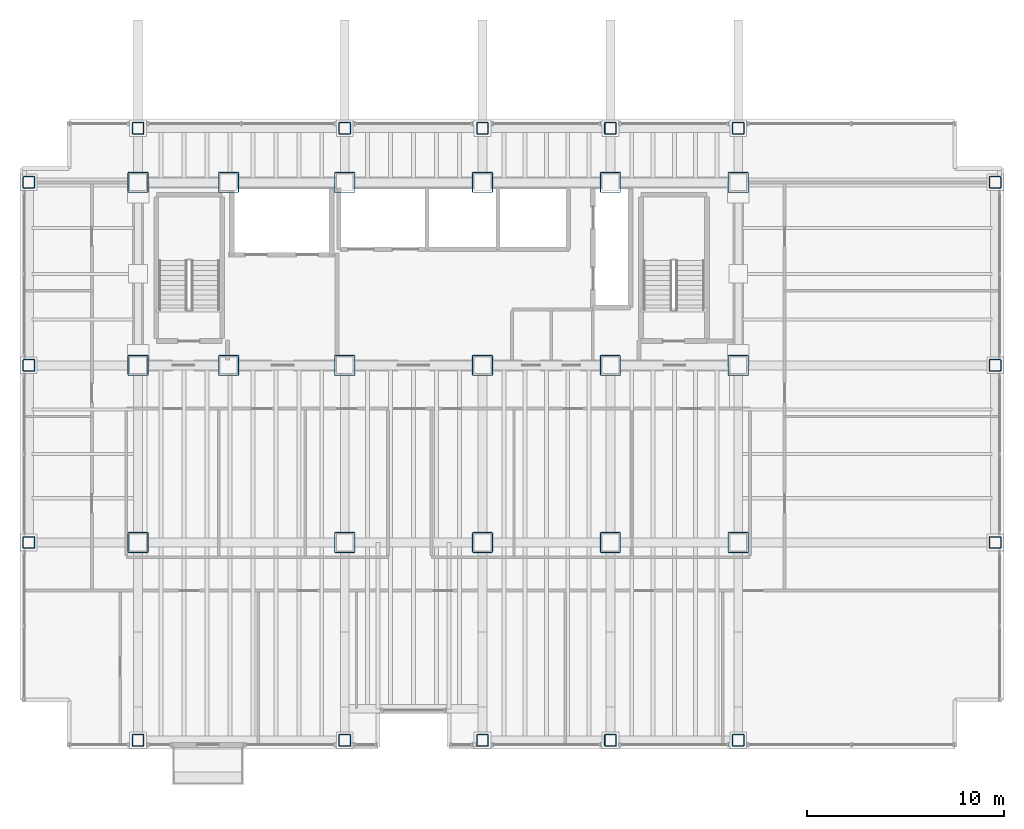
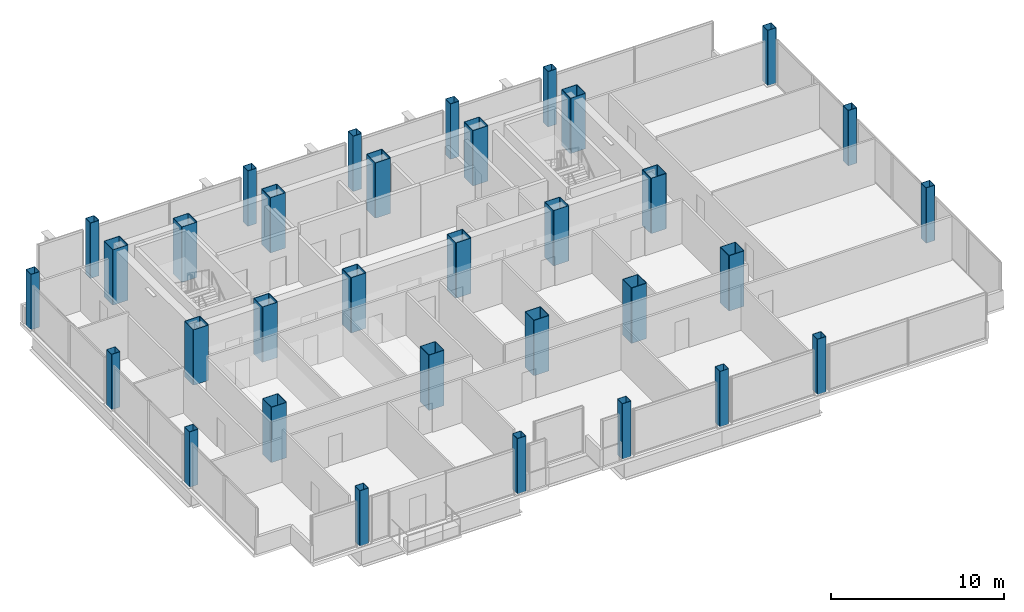
# One storey, part 1 of 21: 33 columns.
"""IFC4 building model written with IfcOpenShell, lengths in metres."""

from ifc_helpers import new_model, si_unit, direction, frame, origin, origin_2d, place, context, subcontext, project, spatial, hollow_rectangle, extrude, material, material_profile, profile_set, type_object, element, save


model = new_model("IFC4")

# Units and contexts
model_context = context("Model", 3, precision=1e-05, world=origin(), true_north=direction((0.0, 1.0)))
body_context = subcontext(model_context, "Body", "Model", "MODEL_VIEW")
ifc_project = project(units=[si_unit("LENGTHUNIT", "METRE"), si_unit("AREAUNIT", "SQUARE_METRE"), si_unit("VOLUMEUNIT", "CUBIC_METRE"), si_unit("PLANEANGLEUNIT", "RADIAN"), si_unit("MASSUNIT", "GRAM", prefix="KILO")], contexts=[model_context])

# Site, building, storey
site_placement = place(None, origin())
site = spatial("IfcSite", under=ifc_project, at=site_placement, CompositionType="ELEMENT")
building_placement = place(site_placement, origin())
building = spatial("IfcBuilding", under=site, at=building_placement, Name="Noeulbin Bourse Tower", CompositionType="ELEMENT")
storey_placement = place(building_placement, frame((0.0, 0.0, 81.10009765625)))
storey = spatial("IfcBuildingStorey", under=building, at=storey_placement, Name="L20", CompositionType="ELEMENT", Elevation=81.10009765625)

# Columns
ifc_material = material(Name="Steel S460", Category="steel")
ifc_material_profile_1 = material_profile(ifc_material, hollow_rectangle(XDim=0.60009765625, YDim=0.60009765625, WallThickness=0.02587890625, InnerFilletRadius=0.012939453125, OuterFilletRadius=0.0390625, at=origin_2d()), Name="BOX-600x600x26", Category="LoadBearing")
ifc_profile_set_1 = profile_set([ifc_material_profile_1], Name="Steel S460")
column_type_1 = type_object("IfcColumnType", Name="COL-PER-Z1", PredefinedType="COLUMN", material=ifc_profile_set_1)
for number, where, z_axis, x_axis, name in (
    (1, (7.949951171875, 20.0, 0.0), (0.0, 0.0, 1.0), (1.0, 0.0, 0.0), "Tower Perimeter Column COL-PER-Z1 01"),
    (2, (7.949951171875, 29.0, 0.0), (0.0, 0.0, 1.0), (1.0, 0.0, 0.0), "Tower Perimeter Column COL-PER-Z1 02"),
    (3, (7.949951171875, 38.300048828125, 0.0), (0.0, 0.0, 1.0), (1.0, 0.0, 0.0), "Tower Perimeter Column COL-PER-Z1 03"),
    (4, (13.5, 9.949951171875, 0.0), (0.0, 0.0, 1.0), (1.0, 0.0, 0.0), "Tower Perimeter Column COL-PER-Z1 04"),
    (5, (13.5, 41.050048828125, 0.0), (0.0, 0.0, 1.0), (1.0, 0.0, 0.0), "Tower Perimeter Column COL-PER-Z1 05"),
    (6, (24.0, 9.949951171875, 0.0), (0.0, 0.0, 1.0), (1.0, 0.0, 0.0), "Tower Perimeter Column COL-PER-Z1 06"),
    (7, (24.0, 41.050048828125, 0.0), (0.0, 0.0, 1.0), (1.0, 0.0, 0.0), "Tower Perimeter Column COL-PER-Z1 07"),
    (8, (31.0, 9.949951171875, 0.0), (0.0, 0.0, 1.0), (1.0, 0.0, 0.0), "Tower Perimeter Column COL-PER-Z1 08"),
    (9, (31.0, 41.050048828125, 0.0), (0.0, 0.0, 1.0), (1.0, 0.0, 0.0), "Tower Perimeter Column COL-PER-Z1 09"),
    (10, (37.5, 9.949951171875, 0.0), (0.0, 0.0, 1.0), (1.0, 0.0, 0.0), "Tower Perimeter Column COL-PER-Z1 10"),
    (11, (37.5, 41.050048828125, 0.0), (0.0, 0.0, 1.0), (1.0, 0.0, 0.0), "Tower Perimeter Column COL-PER-Z1 11"),
    (12, (44.0, 9.949951171875, 0.0), (0.0, 0.0, 1.0), (1.0, 0.0, 0.0), "Tower Perimeter Column COL-PER-Z1 12"),
    (13, (44.0, 41.050048828125, 0.0), (0.0, 0.0, 1.0), (1.0, 0.0, 0.0), "Tower Perimeter Column COL-PER-Z1 13"),
    (14, (57.050048828125, 20.0, 0.0), (0.0, 0.0, 1.0), (1.0, 0.0, 0.0), "Tower Perimeter Column COL-PER-Z1 14"),
    (15, (57.050048828125, 29.0, 0.0), (0.0, 0.0, 1.0), (1.0, 0.0, 0.0), "Tower Perimeter Column COL-PER-Z1 15"),
    (16, (57.050048828125, 38.300048828125, 0.0), (0.0, 0.0, 1.0), (1.0, 0.0, 0.0), "Tower Perimeter Column COL-PER-Z1 16"),
):
    element("IfcColumn", number, at=place(storey_placement, frame(where, z_axis=z_axis, x_axis=x_axis)), inside=storey, type_object=column_type_1, Name=name, PredefinedType="COLUMN", context=body_context, shape_type="SweptSolid", body=[
        extrude(hollow_rectangle(XDim=0.60009765625, YDim=0.60009765625, WallThickness=0.02587890625, InnerFilletRadius=0.012939453125, OuterFilletRadius=0.0390625, at=origin_2d()), origin(), (0.0, 0.0, 1.0), 3.89990234375),
    ])
ifc_material_profile_2 = material_profile(ifc_material, hollow_rectangle(XDim=1.050048828125, YDim=1.050048828125, WallThickness=0.0380859375, InnerFilletRadius=0.01904296875, OuterFilletRadius=0.056884765625, at=origin_2d()), Name="BOX-1050x1050x38", Category="LoadBearing")
ifc_profile_set_2 = profile_set([ifc_material_profile_2], Name="Steel S460")
column_type_2 = type_object("IfcColumnType", Name="COL-TRK-Z1", PredefinedType="COLUMN", material=ifc_profile_set_2)
for number, where, z_axis, x_axis, name in (
    (17, (13.5, 29.0, 0.0), (0.0, 0.0, 1.0), (1.0, 0.0, 0.0), "Tower Trunk Mega-Column COL-TRK-Z1 01"),
    (18, (13.5, 38.300048828125, 0.0), (0.0, 0.0, 1.0), (1.0, 0.0, 0.0), "Tower Trunk Mega-Column COL-TRK-Z1 02"),
    (19, (18.10009765625, 29.0, 0.0), (0.0, 0.0, 1.0), (1.0, 0.0, 0.0), "Tower Trunk Mega-Column COL-TRK-Z1 03"),
    (20, (18.10009765625, 38.300048828125, 0.0), (0.0, 0.0, 1.0), (1.0, 0.0, 0.0), "Tower Trunk Mega-Column COL-TRK-Z1 04"),
    (21, (24.0, 29.0, 0.0), (0.0, 0.0, 1.0), (1.0, 0.0, 0.0), "Tower Trunk Mega-Column COL-TRK-Z1 05"),
    (22, (24.0, 38.300048828125, 0.0), (0.0, 0.0, 1.0), (1.0, 0.0, 0.0), "Tower Trunk Mega-Column COL-TRK-Z1 06"),
    (23, (31.0, 29.0, 0.0), (0.0, 0.0, 1.0), (1.0, 0.0, 0.0), "Tower Trunk Mega-Column COL-TRK-Z1 07"),
    (24, (31.0, 38.300048828125, 0.0), (0.0, 0.0, 1.0), (1.0, 0.0, 0.0), "Tower Trunk Mega-Column COL-TRK-Z1 08"),
    (25, (37.5, 29.0, 0.0), (0.0, 0.0, 1.0), (1.0, 0.0, 0.0), "Tower Trunk Mega-Column COL-TRK-Z1 09"),
    (26, (37.5, 38.300048828125, 0.0), (0.0, 0.0, 1.0), (1.0, 0.0, 0.0), "Tower Trunk Mega-Column COL-TRK-Z1 10"),
    (27, (44.0, 29.0, 0.0), (0.0, 0.0, 1.0), (1.0, 0.0, 0.0), "Tower Trunk Mega-Column COL-TRK-Z1 11"),
    (28, (44.0, 38.300048828125, 0.0), (0.0, 0.0, 1.0), (1.0, 0.0, 0.0), "Tower Trunk Mega-Column COL-TRK-Z1 12"),
    (29, (13.5, 20.0, 0.0), (0.0, 0.0, 1.0), (1.0, 0.0, 0.0), "Tower Trunk Mega-Column COL-TRK-Z1 13"),
    (30, (24.0, 20.0, 0.0), (0.0, 0.0, 1.0), (1.0, 0.0, 0.0), "Tower Trunk Mega-Column COL-TRK-Z1 14"),
    (31, (31.0, 20.0, 0.0), (0.0, 0.0, 1.0), (1.0, 0.0, 0.0), "Tower Trunk Mega-Column COL-TRK-Z1 15"),
    (32, (37.5, 20.0, 0.0), (0.0, 0.0, 1.0), (1.0, 0.0, 0.0), "Tower Trunk Mega-Column COL-TRK-Z1 16"),
    (33, (44.0, 20.0, 0.0), (0.0, 0.0, 1.0), (1.0, 0.0, 0.0), "Tower Trunk Mega-Column COL-TRK-Z1 17"),
):
    element("IfcColumn", number, at=place(storey_placement, frame(where, z_axis=z_axis, x_axis=x_axis)), inside=storey, type_object=column_type_2, Name=name, PredefinedType="COLUMN", context=body_context, shape_type="SweptSolid", body=[
        extrude(hollow_rectangle(XDim=1.050048828125, YDim=1.050048828125, WallThickness=0.0380859375, InnerFilletRadius=0.01904296875, OuterFilletRadius=0.056884765625, at=origin_2d()), origin(), (0.0, 0.0, 1.0), 3.89990234375),
    ])

save(model, "model.ifc")
